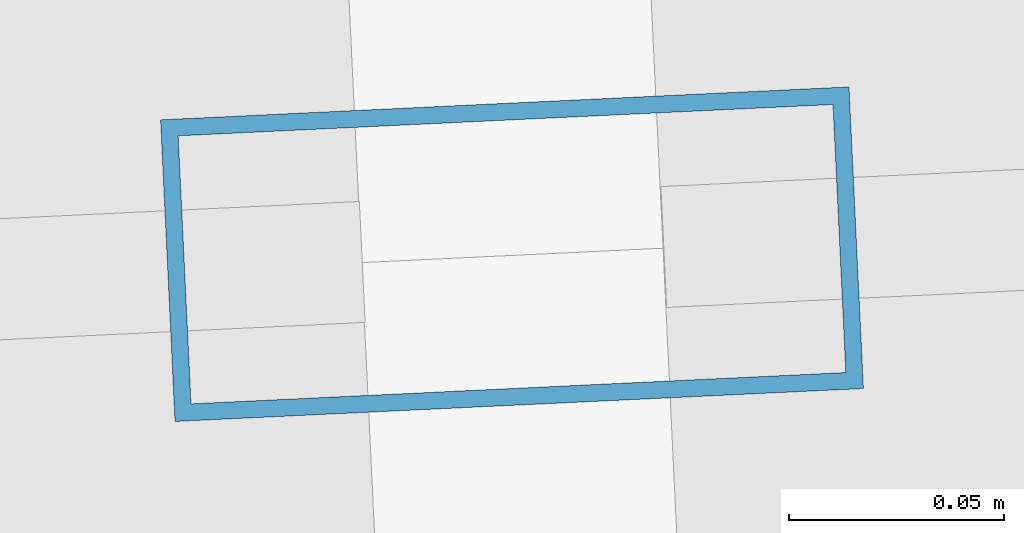
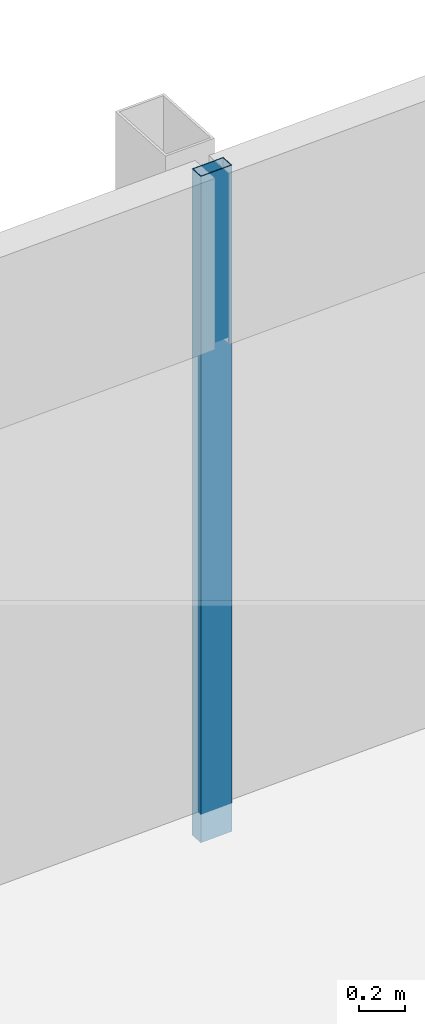
# One storey, part 21 of 39: 1 member, 1 element without a shape of its own.
"""IFC4 building model written with IfcOpenShell, lengths in metres."""

import ifcopenshell
import ifcopenshell.guid

model = None  # the IFC model being written
_history = None  # IfcOwnerHistory: only IFC2X3 demands one
_inside = {}  # id of a spatial element -> (the spatial element, [elements in it])
_under = {}  # id of a project, library or spatial element -> (it, [spatial elements below it])
_declared = {}  # id of a project -> (the project, [libraries it declares])
_typed = {}  # id of a type object -> (the type object, [elements of that type])
_made_of = {}  # id of a material, layer set ... -> (it, [elements and type objects made of it])


def new_model(schema):
    """Start an empty IFC model of exactly this schema.

    Asked for "IFC4X3", IfcOpenShell would pick the latest addendum, in which some entities
    have other attributes; the version numbers below select the first issue.
    IFC2X3 requires an IfcOwnerHistory on every rooted entity: one is made here for all.
    """
    global model, _history
    if schema == "IFC4X3":
        model = ifcopenshell.file(schema_version=(4, 3, 0, 0))
    else:
        model = ifcopenshell.file(schema=schema)
    _inside.clear()
    _under.clear()
    _declared.clear()
    _typed.clear()
    _made_of.clear()
    _history = None
    if model.schema == "IFC2X3":
        org = make("IfcOrganization", Name="unknown")
        user = make(
            "IfcPersonAndOrganization",
            ThePerson=make("IfcPerson", FamilyName="unknown"),
            TheOrganization=org,
        )
        app = make(
            "IfcApplication",
            ApplicationDeveloper=org,
            Version="unknown",
            ApplicationFullName="unknown",
            ApplicationIdentifier="unknown",
        )
        _history = make(
            "IfcOwnerHistory",
            OwningUser=user,
            OwningApplication=app,
            ChangeAction="ADDED",
            CreationDate=0,
        )
    return model


def make(cls, **values):
    """One entity of the class cls with the attributes given. An attribute that is None is left unset."""
    return model.create_entity(
        cls, **{name: value for name, value in values.items() if value is not None}
    )


def rooted(cls, **values):
    """An entity with a GlobalId (a new one), such as an element, a storey or a relation."""
    return make(cls, GlobalId=ifcopenshell.guid.new(), OwnerHistory=_history, **values)


def si_unit(unit_type, name, prefix=None):
    """IfcSIUnit, for example si_unit("LENGTHUNIT", "METRE", prefix="MILLI")."""
    return make("IfcSIUnit", UnitType=unit_type, Prefix=prefix, Name=name)


def assignment(units):
    """IfcUnitAssignment: the units of a project."""
    return None if units is None else make("IfcUnitAssignment", Units=units)


def point(xyz):
    """IfcCartesianPoint."""
    return None if xyz is None else make("IfcCartesianPoint", Coordinates=xyz)


def direction(xyz):
    """IfcDirection."""
    return None if xyz is None else make("IfcDirection", DirectionRatios=xyz)


def frame(location, z_axis=None, x_axis=None):
    """IfcAxis2Placement3D, a coordinate frame: its origin and axes. An axis left out is left unset."""
    return make(
        "IfcAxis2Placement3D",
        Location=point(location),
        Axis=direction(z_axis),
        RefDirection=direction(x_axis),
    )


def frame_2d(location, x_axis=None):
    """IfcAxis2Placement2D, a coordinate frame in the plane: its origin and x axis."""
    return make(
        "IfcAxis2Placement2D", Location=point(location), RefDirection=direction(x_axis)
    )


def origin():
    """The frame at (0, 0, 0) with its axes left unset."""
    return frame((0.0, 0.0, 0.0))


def origin_2d():
    """The frame at (0, 0) in the plane with its x axis left unset."""
    return frame_2d((0.0, 0.0))


def place(relative_to, where):
    """IfcLocalPlacement: puts the frame where relative to a parent placement (None: the world)."""
    return make(
        "IfcLocalPlacement", PlacementRelTo=relative_to, RelativePlacement=where
    )


def context(
    kind, dimensions, precision=None, world=None, true_north=None, identifier=None
):
    """IfcGeometricRepresentationContext, for example the 3D "Model" context."""
    return make(
        "IfcGeometricRepresentationContext",
        ContextIdentifier=identifier,
        ContextType=kind,
        CoordinateSpaceDimension=dimensions,
        Precision=precision,
        WorldCoordinateSystem=world,
        TrueNorth=true_north,
    )


def subcontext(parent, identifier, kind, view, scale=None):
    """IfcGeometricRepresentationSubContext, for example "Body" below "Model"."""
    return make(
        "IfcGeometricRepresentationSubContext",
        ContextIdentifier=identifier,
        ContextType=kind,
        ParentContext=parent,
        TargetScale=scale,
        TargetView=view,
    )


def project(units=None, contexts=None):
    """IfcProject with its units and contexts."""
    return rooted(
        "IfcProject",
        Name="project",
        RepresentationContexts=contexts,
        UnitsInContext=assignment(units),
    )


def spatial(cls, under=None, at=None, **own):
    """A site, building, storey or space (cls), placed at a placement, below another one or the project."""
    s = rooted(cls, ObjectPlacement=at, **own)
    if under is not None:
        _under.setdefault(under.id(), (under, []))[1].append(s)
    return s


def profile(cls, at=None, kind="AREA", **sizes):
    """A parametric profile (cls). Its sizes go by their IFC names, for example OverallWidth=200.0."""
    return make(cls, ProfileType=kind, Position=at, **sizes)


def hollow_rectangle(**sizes):
    """IfcRectangleHollowProfileDef."""
    return profile("IfcRectangleHollowProfileDef", **sizes)


def extrude(swept, where, along, depth):
    """IfcExtrudedAreaSolid: the profile swept, set in the frame where, extruded along a direction by depth."""
    return make(
        "IfcExtrudedAreaSolid",
        SweptArea=swept,
        Position=where,
        ExtrudedDirection=direction(along),
        Depth=depth,
    )


def shape(context_of_items, identifier, shape_type, items):
    """IfcShapeRepresentation: the items that make up one representation, for example the "Body"."""
    return make(
        "IfcShapeRepresentation",
        ContextOfItems=context_of_items,
        RepresentationIdentifier=identifier,
        RepresentationType=shape_type,
        Items=items,
    )


def material(Name=None, Category=None):
    """IfcMaterial."""
    return make("IfcMaterial", Name=Name, Category=Category)


def material_profile(
    of_material, cross_section, Name=None, Category=None, Priority=None
):
    """IfcMaterialProfile: a cross section and its material."""
    return make(
        "IfcMaterialProfile",
        Name=Name,
        Material=of_material,
        Profile=cross_section,
        Priority=Priority,
        Category=Category,
    )


def profile_set(profiles, Name=None, composite=None):
    """IfcMaterialProfileSet."""
    return make(
        "IfcMaterialProfileSet",
        Name=Name,
        MaterialProfiles=profiles,
        CompositeProfile=composite,
    )


def made_of(thing, what):
    """Note that an element or type object is made of a material, layer set ...; save() writes the relation."""
    if what is not None:
        _made_of.setdefault(what.id(), (what, []))[1].append(thing)
    return thing


def type_object(cls, material=None, **own):
    """A type object (cls), such as IfcWallType, which elements share."""
    return made_of(rooted(cls, **own), material)


def element(
    cls,
    number,
    at=None,
    inside=None,
    cuts=None,
    type_object=None,
    material=None,
    context=None,
    identifier="Body",
    shape_type=None,
    held_by="IfcProductDefinitionShape",
    body=None,
    shapes=None,
    **own,
):
    """One element of the class cls, such as IfcWall. Its Tag is "e" and its number.

    at: its placement. inside: the storey or other place that contains it. cuts: it is an
    opening in that element (IfcRelVoidsElement). A single representation is given by context,
    identifier, shape_type and body (its items); several are given by shapes. held_by: the class
    of the entity that holds the representations. save() writes the other relations.
    """
    e = rooted(cls, Tag="e%d" % number, ObjectPlacement=at, **own)
    if body is not None:
        shapes = [shape(context, identifier, shape_type, body)]
    if shapes is not None:
        e.Representation = make(held_by, Representations=shapes)
    if inside is not None:
        _inside.setdefault(inside.id(), (inside, []))[1].append(e)
    if cuts is not None:
        rooted(
            "IfcRelVoidsElement", RelatingBuildingElement=cuts, RelatedOpeningElement=e
        )
    if type_object is not None:
        _typed.setdefault(type_object.id(), (type_object, []))[1].append(e)
    return made_of(e, material)


def aggregate(whole, parts):
    """IfcRelAggregates: a whole, such as a stair, and the parts it consists of."""
    return rooted("IfcRelAggregates", RelatingObject=whole, RelatedObjects=parts)


def save(model, path):
    """Write the relations noted so far, then the file.

    IfcRelAggregates (storeys below a building ...), IfcRelContainedInSpatialStructure (elements
    in a storey), IfcRelDefinesByType, IfcRelAssociatesMaterial and IfcRelDeclares: one each for
    every whole, place, type object, material and project.
    """
    for whole, parts in _under.values():
        aggregate(whole, parts)
    for where, things in _inside.values():
        rooted(
            "IfcRelContainedInSpatialStructure",
            RelatedElements=things,
            RelatingStructure=where,
        )
    for kind, things in _typed.values():
        rooted("IfcRelDefinesByType", RelatedObjects=things, RelatingType=kind)
    for what, things in _made_of.values():
        rooted("IfcRelAssociatesMaterial", RelatedObjects=things, RelatingMaterial=what)
    for by, libraries in _declared.values():
        rooted("IfcRelDeclares", RelatingContext=by, RelatedDefinitions=libraries)
    model.write(path)


model = new_model("IFC4")

# Units and contexts
model_context = context("Model", 3, precision=1e-05, world=origin(), true_north=direction((0.0, 1.0)))
body_context = subcontext(model_context, "Body", "Model", "MODEL_VIEW")
ifc_project = project(units=[si_unit("LENGTHUNIT", "METRE"), si_unit("AREAUNIT", "SQUARE_METRE"), si_unit("VOLUMEUNIT", "CUBIC_METRE"), si_unit("PLANEANGLEUNIT", "RADIAN"), si_unit("MASSUNIT", "GRAM", prefix="KILO")], contexts=[model_context])

# Site, building, storey
site_placement = place(None, origin())
site = spatial("IfcSite", under=ifc_project, at=site_placement, CompositionType="ELEMENT")
building_placement = place(site_placement, origin())
building = spatial("IfcBuilding", under=site, at=building_placement, Name="Rekha Terrace Tower", CompositionType="ELEMENT")
storey_placement = place(building_placement, frame((0.0, 0.0, 183.949951171875)))
storey = spatial("IfcBuildingStorey", under=building, at=storey_placement, Name="L46", CompositionType="ELEMENT", Elevation=183.949951171875)

# Curtain wall, member
ifc_material_1 = material(Name="Aluminium framing", Category="aluminium")
curtain_wall_type = type_object("IfcCurtainWallType", Name="CW3 north unitised glazing", PredefinedType="USERDEFINED", material=ifc_material_1)
curtain_wall_placement = place(storey_placement, origin())
curtain_wall = element("IfcCurtainWall", 1, at=curtain_wall_placement, inside=storey, type_object=curtain_wall_type, Name="CW3 unitised curtain wall", ObjectType="UNITISED CURTAIN WALL", PredefinedType="USERDEFINED")
ifc_material_2 = material(Name="Aluminium mullion section", Category="aluminium")
ifc_material_profile = material_profile(ifc_material_2, hollow_rectangle(XDim=0.070068359375, YDim=0.159912109375, WallThickness=0.00390625, at=origin_2d()), Name="AL RHS 70x160")
ifc_profile_set = profile_set([ifc_material_profile], Name="Aluminium mullion section")
member_type = type_object("IfcMemberType", Name="CW3 mullion RHS 70 x 160", PredefinedType="MULLION", material=ifc_profile_set)
member_placement = place(storey_placement, frame((38.570068359375, 61.771240234375, 0.0), z_axis=(0.0, 0.0, 1.0), x_axis=(0.047758616983, -0.998858906204, 0.0)))
member = element("IfcMember", 2, at=member_placement, type_object=member_type, Name="CW3 mullion 2", PredefinedType="MULLION", context=body_context, shape_type="SweptSolid", body=[
    extrude(hollow_rectangle(XDim=0.070068359375, YDim=0.159912109375, WallThickness=0.00390625, at=origin_2d()), origin(), (0.0, 0.0, 1.0), 3.5),
])
aggregate(curtain_wall, [member])

save(model, "model.ifc")
